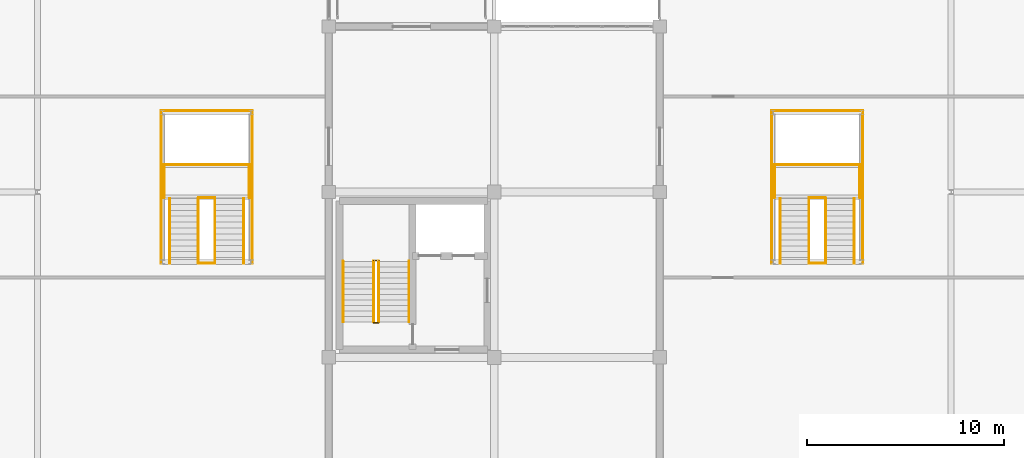
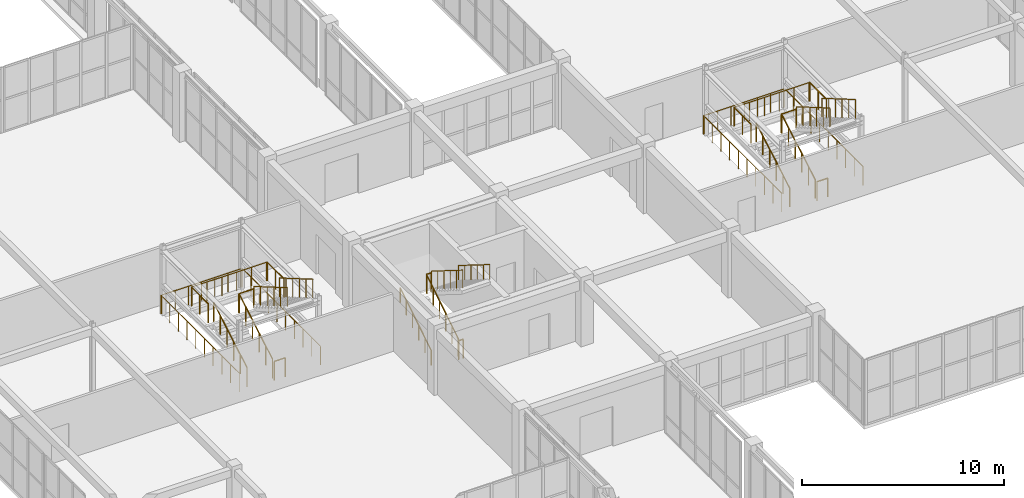
# One storey, part 133 of 140: 30 railings.
"""IFC4 building model written with IfcOpenShell, lengths in metres."""

from ifc_helpers import new_model, si_unit, direction, frame, origin, origin_2d, place, context, subcontext, project, spatial, circle, extrude, material, type_object, element, save


model = new_model("IFC4")

# Units and contexts
model_context = context("Model", 3, precision=1e-05, world=origin(), true_north=direction((0.0, 1.0)))
body_context = subcontext(model_context, "Body", "Model", "MODEL_VIEW")
ifc_project = project(units=[si_unit("LENGTHUNIT", "METRE"), si_unit("AREAUNIT", "SQUARE_METRE"), si_unit("VOLUMEUNIT", "CUBIC_METRE"), si_unit("PLANEANGLEUNIT", "RADIAN"), si_unit("MASSUNIT", "GRAM", prefix="KILO")], contexts=[model_context])

# Site, building, storey
site_placement = place(None, origin())
site = spatial("IfcSite", under=ifc_project, at=site_placement, CompositionType="ELEMENT")
building_placement = place(site_placement, origin())
building = spatial("IfcBuilding", under=site, at=building_placement, Name="Trelvath General Hospital", CompositionType="ELEMENT")
storey_placement = place(building_placement, frame((0.0, 0.0, 16.199951171875)))
storey = spatial("IfcBuildingStorey", under=building, at=storey_placement, Name="L04", CompositionType="ELEMENT", Elevation=16.199951171875)

# Railings
ifc_material_1 = material(Name="Architectural painted steel", Category="steel")
railing_type_1 = type_object("IfcRailingType", Name="Guardrail Terrace1150", PredefinedType="GUARDRAIL", material=ifc_material_1)
railing_1_placement = place(storey_placement, frame((77.8701171875, 52.159912109375, 0.0)))
element("IfcRailing", 1, at=railing_1_placement, inside=storey, type_object=railing_type_1, Name="Stair Well Edge Guard C6 L04 216", PredefinedType="GUARDRAIL", context=body_context, shape_type="SweptSolid", body=[
    extrude(circle(Radius=0.02392578125, at=origin_2d()), frame((0.0, 0.0, 1.1259765625), z_axis=(1.0, 0.0, 0.0), x_axis=(0.0, 1.0, 0.0)), (0.0, 0.0, 1.0), 0.259765625),
    extrude(circle(Radius=0.02099609375, at=origin_2d()), origin(), (0.0, 0.0, 1.0), 1.099853515625),
    extrude(circle(Radius=0.02099609375, at=origin_2d()), frame((0.259765625, 0.0, 0.0)), (0.0, 0.0, 1.0), 1.099853515625),
])
railing_2_placement = place(storey_placement, frame((78.1298828125, 55.280029296875, 2.275146484375)))
element("IfcRailing", 2, at=railing_2_placement, inside=storey, type_object=railing_type_1, Name="Stair Rail ST6 L04 F2 L 218", PredefinedType="GUARDRAIL", context=body_context, shape_type="SweptSolid", body=[
    extrude(circle(Radius=0.02392578125, at=origin_2d()), frame((0.0, 0.0, 1.076171875), z_axis=(0.0, -0.848028513186, 0.529950602248), x_axis=(1.0, 0.0, 0.0)), (0.0, 0.0, 1.0), 3.632080078125),
    extrude(circle(Radius=0.02099609375, at=origin_2d()), origin(), (0.0, 0.0, 1.0), 1.050048828125),
    extrude(circle(Radius=0.02099609375, at=origin_2d()), frame((0.0, -0.615966796875, 0.385009765625)), (0.0, 0.0, 1.0), 1.050048828125),
    extrude(circle(Radius=0.02099609375, at=origin_2d()), frame((0.0, -1.23193359375, 0.77001953125)), (0.0, 0.0, 1.0), 1.050048828125),
    extrude(circle(Radius=0.02099609375, at=origin_2d()), frame((0.0, -1.84814453125, 1.15478515625)), (0.0, 0.0, 1.0), 1.050048828125),
    extrude(circle(Radius=0.02099609375, at=origin_2d()), frame((0.0, -2.464111328125, 1.539794921875)), (0.0, 0.0, 1.0), 1.050048828125),
    extrude(circle(Radius=0.02099609375, at=origin_2d()), frame((0.0, -3.080078125, 1.9248046875)), (0.0, 0.0, 1.0), 1.050048828125),
])
railing_3_placement = place(storey_placement, frame((77.8701171875, 52.199951171875, 0.175048828125)))
element("IfcRailing", 3, at=railing_3_placement, inside=storey, type_object=railing_type_1, Name="Stair Rail ST6 L04 F1 R 219", PredefinedType="GUARDRAIL", context=body_context, shape_type="SweptSolid", body=[
    extrude(circle(Radius=0.02392578125, at=origin_2d()), frame((0.0, 0.0, 1.076171875), z_axis=(0.0, 0.847998304005, 0.529998940003), x_axis=(-1.0, 0.0, 0.0)), (0.0, 0.0, 1.0), 3.632080078125),
    extrude(circle(Radius=0.02099609375, at=origin_2d()), origin(), (0.0, 0.0, 1.0), 1.050048828125),
    extrude(circle(Radius=0.02099609375, at=origin_2d()), frame((0.0, 0.615966796875, 0.385009765625)), (0.0, 0.0, 1.0), 1.050048828125),
    extrude(circle(Radius=0.02099609375, at=origin_2d()), frame((0.0, 1.23193359375, 0.77001953125)), (0.0, 0.0, 1.0), 1.050048828125),
    extrude(circle(Radius=0.02099609375, at=origin_2d()), frame((0.0, 1.84814453125, 1.155029296875)), (0.0, 0.0, 1.0), 1.050048828125),
    extrude(circle(Radius=0.02099609375, at=origin_2d()), frame((0.0, 2.464111328125, 1.5400390625)), (0.0, 0.0, 1.0), 1.050048828125),
    extrude(circle(Radius=0.02099609375, at=origin_2d()), frame((0.0, 3.080078125, 1.925048828125)), (0.0, 0.0, 1.0), 1.050048828125),
])
railing_4_placement = place(storey_placement, frame((77.8701171875, 55.320068359375, 2.10009765625)))
element("IfcRailing", 4, at=railing_4_placement, inside=storey, type_object=railing_type_1, Name="Half-Landing Well Guard ST6 L04 221", PredefinedType="GUARDRAIL", context=body_context, shape_type="SweptSolid", body=[
    extrude(circle(Radius=0.02392578125, at=origin_2d()), frame((0.0, 0.0, 1.1259765625), z_axis=(1.0, 0.0, 0.0), x_axis=(0.0, 1.0, 0.0)), (0.0, 0.0, 1.0), 0.259765625),
    extrude(circle(Radius=0.02099609375, at=origin_2d()), origin(), (0.0, 0.0, 1.0), 1.099853515625),
    extrude(circle(Radius=0.02099609375, at=origin_2d()), frame((0.259765625, 0.0, 0.0)), (0.0, 0.0, 1.0), 1.099853515625),
])
for number, where, name in (
    (5, (67.52001953125, 55.169921875, 0.175048828125), "Cube Stair Flight Guard ST9 L04 323"),
    (6, (68.97998046875, 55.169921875, 0.175048828125), "Cube Stair Flight Guard ST9 L04 324"),
):
    element("IfcRailing", number, at=place(storey_placement, frame(where)), inside=storey, type_object=railing_type_1, Name=name, PredefinedType="GUARDRAIL", context=body_context, shape_type="SweptSolid", body=[
        extrude(circle(Radius=0.02392578125, at=origin_2d()), frame((0.0, 0.0, 1.1259765625), z_axis=(0.0, 0.863776583165, 0.503874998761), x_axis=(-1.0, 0.0, 0.0)), (0.0, 0.0, 1.0), 3.820556640625),
        extrude(circle(Radius=0.02099609375, at=origin_2d()), origin(), (0.0, 0.0, 1.0), 1.099853515625),
        extrude(circle(Radius=0.02099609375, at=origin_2d()), frame((0.0, 0.659912109375, 0.385009765625)), (0.0, 0.0, 1.0), 1.099853515625),
        extrude(circle(Radius=0.02099609375, at=origin_2d()), frame((0.0, 1.320068359375, 0.77001953125)), (0.0, 0.0, 1.0), 1.099853515625),
        extrude(circle(Radius=0.02099609375, at=origin_2d()), frame((0.0, 1.97998046875, 1.155029296875)), (0.0, 0.0, 1.0), 1.099853515625),
        extrude(circle(Radius=0.02099609375, at=origin_2d()), frame((0.0, 2.64013671875, 1.5400390625)), (0.0, 0.0, 1.0), 1.099853515625),
        extrude(circle(Radius=0.02099609375, at=origin_2d()), frame((0.0, 3.300048828125, 1.925048828125)), (0.0, 0.0, 1.0), 1.099853515625),
    ])
for number, where, name in (
    (7, (69.820068359375, 58.469970703125, 2.275146484375), "Cube Stair Flight Guard ST9 L04 325"),
    (8, (71.280029296875, 58.469970703125, 2.275146484375), "Cube Stair Flight Guard ST9 L04 326"),
):
    element("IfcRailing", number, at=place(storey_placement, frame(where)), inside=storey, type_object=railing_type_1, Name=name, PredefinedType="GUARDRAIL", context=body_context, shape_type="SweptSolid", body=[
        extrude(circle(Radius=0.02392578125, at=origin_2d()), frame((0.0, 0.0, 1.1259765625), z_axis=(0.0, -0.863804395585, 0.503827317807), x_axis=(1.0, 0.0, 0.0)), (0.0, 0.0, 1.0), 3.8203125),
        extrude(circle(Radius=0.02099609375, at=origin_2d()), origin(), (0.0, 0.0, 1.0), 1.099853515625),
        extrude(circle(Radius=0.02099609375, at=origin_2d()), frame((0.0, -0.659912109375, 0.385009765625)), (0.0, 0.0, 1.0), 1.099853515625),
        extrude(circle(Radius=0.02099609375, at=origin_2d()), frame((0.0, -1.320068359375, 0.77001953125)), (0.0, 0.0, 1.0), 1.099853515625),
        extrude(circle(Radius=0.02099609375, at=origin_2d()), frame((0.0, -1.97998046875, 1.15478515625)), (0.0, 0.0, 1.0), 1.099853515625),
        extrude(circle(Radius=0.02099609375, at=origin_2d()), frame((0.0, -2.64013671875, 1.539794921875)), (0.0, 0.0, 1.0), 1.099853515625),
        extrude(circle(Radius=0.02099609375, at=origin_2d()), frame((0.0, -3.300048828125, 1.9248046875)), (0.0, 0.0, 1.0), 1.099853515625),
    ])
railing_5_placement = place(storey_placement, frame((67.239990234375, 58.510009765625, 2.10009765625)))
element("IfcRailing", 9, at=railing_5_placement, inside=storey, type_object=railing_type_1, Name="Cube Half-Landing Guard W ST9 L04 327", PredefinedType="GUARDRAIL", context=body_context, shape_type="SweptSolid", body=[
    extrude(circle(Radius=0.02392578125, at=origin_2d()), frame((0.0, 0.0, 1.1259765625), z_axis=(0.0, 1.0, 0.0), x_axis=(-1.0, 0.0, 0.0)), (0.0, 0.0, 1.0), 1.669921875),
    extrude(circle(Radius=0.02099609375, at=origin_2d()), origin(), (0.0, 0.0, 1.0), 1.099853515625),
    extrude(circle(Radius=0.02099609375, at=origin_2d()), frame((0.0, 0.8349609375, 0.0)), (0.0, 0.0, 1.0), 1.099853515625),
    extrude(circle(Radius=0.02099609375, at=origin_2d()), frame((0.0, 1.669921875, 0.0)), (0.0, 0.0, 1.0), 1.099853515625),
])
railing_6_placement = place(storey_placement, frame((67.280029296875, 60.179931640625, 2.10009765625)))
element("IfcRailing", 10, at=railing_6_placement, inside=storey, type_object=railing_type_1, Name="Cube Half-Landing Guard N ST9 L04 328", PredefinedType="GUARDRAIL", context=body_context, shape_type="SweptSolid", body=[
    extrude(circle(Radius=0.02392578125, at=origin_2d()), frame((0.0, 0.0, 1.1259765625), z_axis=(1.0, 0.0, 0.0), x_axis=(0.0, 1.0, 0.0)), (0.0, 0.0, 1.0), 4.239990234375),
    extrude(circle(Radius=0.02099609375, at=origin_2d()), origin(), (0.0, 0.0, 1.0), 1.099853515625),
    extrude(circle(Radius=0.02099609375, at=origin_2d()), frame((0.847900390625, 0.0, 0.0)), (0.0, 0.0, 1.0), 1.099853515625),
    extrude(circle(Radius=0.02099609375, at=origin_2d()), frame((1.696044921875, 0.0, 0.0)), (0.0, 0.0, 1.0), 1.099853515625),
    extrude(circle(Radius=0.02099609375, at=origin_2d()), frame((2.5439453125, 0.0, 0.0)), (0.0, 0.0, 1.0), 1.099853515625),
    extrude(circle(Radius=0.02099609375, at=origin_2d()), frame((3.39208984375, 0.0, 0.0)), (0.0, 0.0, 1.0), 1.099853515625),
    extrude(circle(Radius=0.02099609375, at=origin_2d()), frame((4.239990234375, 0.0, 0.0)), (0.0, 0.0, 1.0), 1.099853515625),
])
railing_7_placement = place(storey_placement, frame((71.56005859375, 58.510009765625, 2.10009765625)))
element("IfcRailing", 11, at=railing_7_placement, inside=storey, type_object=railing_type_1, Name="Cube Half-Landing Guard E ST9 L04 329", PredefinedType="GUARDRAIL", context=body_context, shape_type="SweptSolid", body=[
    extrude(circle(Radius=0.02392578125, at=origin_2d()), frame((0.0, 0.0, 1.1259765625), z_axis=(0.0, 1.0, 0.0), x_axis=(-1.0, 0.0, 0.0)), (0.0, 0.0, 1.0), 1.669921875),
    extrude(circle(Radius=0.02099609375, at=origin_2d()), origin(), (0.0, 0.0, 1.0), 1.099853515625),
    extrude(circle(Radius=0.02099609375, at=origin_2d()), frame((0.0, 0.8349609375, 0.0)), (0.0, 0.0, 1.0), 1.099853515625),
    extrude(circle(Radius=0.02099609375, at=origin_2d()), frame((0.0, 1.669921875, 0.0)), (0.0, 0.0, 1.0), 1.099853515625),
])
railing_8_placement = place(storey_placement, frame((68.97998046875, 58.510009765625, 2.10009765625)))
element("IfcRailing", 12, at=railing_8_placement, inside=storey, type_object=railing_type_1, Name="Cube Half-Landing Slot Guard ST9 L04 330", PredefinedType="GUARDRAIL", context=body_context, shape_type="SweptSolid", body=[
    extrude(circle(Radius=0.02392578125, at=origin_2d()), frame((0.0, 0.0, 1.1259765625), z_axis=(1.0, 0.0, 0.0), x_axis=(0.0, 1.0, 0.0)), (0.0, 0.0, 1.0), 0.840087890625),
    extrude(circle(Radius=0.02099609375, at=origin_2d()), origin(), (0.0, 0.0, 1.0), 1.099853515625),
    extrude(circle(Radius=0.02099609375, at=origin_2d()), frame((0.840087890625, 0.0, 0.0)), (0.0, 0.0, 1.0), 1.099853515625),
])
for number, where, name in (
    (13, (98.52001953125, 55.169921875, 0.175048828125), "Cube Stair Flight Guard ST10 L04 331"),
    (14, (99.97998046875, 55.169921875, 0.175048828125), "Cube Stair Flight Guard ST10 L04 332"),
):
    element("IfcRailing", number, at=place(storey_placement, frame(where)), inside=storey, type_object=railing_type_1, Name=name, PredefinedType="GUARDRAIL", context=body_context, shape_type="SweptSolid", body=[
        extrude(circle(Radius=0.02392578125, at=origin_2d()), frame((0.0, 0.0, 1.1259765625), z_axis=(0.0, 0.863776583165, 0.503874998761), x_axis=(-1.0, 0.0, 0.0)), (0.0, 0.0, 1.0), 3.820556640625),
        extrude(circle(Radius=0.02099609375, at=origin_2d()), origin(), (0.0, 0.0, 1.0), 1.099853515625),
        extrude(circle(Radius=0.02099609375, at=origin_2d()), frame((0.0, 0.659912109375, 0.385009765625)), (0.0, 0.0, 1.0), 1.099853515625),
        extrude(circle(Radius=0.02099609375, at=origin_2d()), frame((0.0, 1.320068359375, 0.77001953125)), (0.0, 0.0, 1.0), 1.099853515625),
        extrude(circle(Radius=0.02099609375, at=origin_2d()), frame((0.0, 1.97998046875, 1.155029296875)), (0.0, 0.0, 1.0), 1.099853515625),
        extrude(circle(Radius=0.02099609375, at=origin_2d()), frame((0.0, 2.64013671875, 1.5400390625)), (0.0, 0.0, 1.0), 1.099853515625),
        extrude(circle(Radius=0.02099609375, at=origin_2d()), frame((0.0, 3.300048828125, 1.925048828125)), (0.0, 0.0, 1.0), 1.099853515625),
    ])
for number, where, name in (
    (15, (100.820068359375, 58.469970703125, 2.275146484375), "Cube Stair Flight Guard ST10 L04 333"),
    (16, (102.280029296875, 58.469970703125, 2.275146484375), "Cube Stair Flight Guard ST10 L04 334"),
):
    element("IfcRailing", number, at=place(storey_placement, frame(where)), inside=storey, type_object=railing_type_1, Name=name, PredefinedType="GUARDRAIL", context=body_context, shape_type="SweptSolid", body=[
        extrude(circle(Radius=0.02392578125, at=origin_2d()), frame((0.0, 0.0, 1.1259765625), z_axis=(0.0, -0.863804395585, 0.503827317807), x_axis=(1.0, 0.0, 0.0)), (0.0, 0.0, 1.0), 3.8203125),
        extrude(circle(Radius=0.02099609375, at=origin_2d()), origin(), (0.0, 0.0, 1.0), 1.099853515625),
        extrude(circle(Radius=0.02099609375, at=origin_2d()), frame((0.0, -0.659912109375, 0.385009765625)), (0.0, 0.0, 1.0), 1.099853515625),
        extrude(circle(Radius=0.02099609375, at=origin_2d()), frame((0.0, -1.320068359375, 0.77001953125)), (0.0, 0.0, 1.0), 1.099853515625),
        extrude(circle(Radius=0.02099609375, at=origin_2d()), frame((0.0, -1.97998046875, 1.15478515625)), (0.0, 0.0, 1.0), 1.099853515625),
        extrude(circle(Radius=0.02099609375, at=origin_2d()), frame((0.0, -2.64013671875, 1.539794921875)), (0.0, 0.0, 1.0), 1.099853515625),
        extrude(circle(Radius=0.02099609375, at=origin_2d()), frame((0.0, -3.300048828125, 1.9248046875)), (0.0, 0.0, 1.0), 1.099853515625),
    ])
railing_9_placement = place(storey_placement, frame((98.239990234375, 58.510009765625, 2.10009765625)))
element("IfcRailing", 17, at=railing_9_placement, inside=storey, type_object=railing_type_1, Name="Cube Half-Landing Guard W ST10 L04 335", PredefinedType="GUARDRAIL", context=body_context, shape_type="SweptSolid", body=[
    extrude(circle(Radius=0.02392578125, at=origin_2d()), frame((0.0, 0.0, 1.1259765625), z_axis=(0.0, 1.0, 0.0), x_axis=(-1.0, 0.0, 0.0)), (0.0, 0.0, 1.0), 1.669921875),
    extrude(circle(Radius=0.02099609375, at=origin_2d()), origin(), (0.0, 0.0, 1.0), 1.099853515625),
    extrude(circle(Radius=0.02099609375, at=origin_2d()), frame((0.0, 0.8349609375, 0.0)), (0.0, 0.0, 1.0), 1.099853515625),
    extrude(circle(Radius=0.02099609375, at=origin_2d()), frame((0.0, 1.669921875, 0.0)), (0.0, 0.0, 1.0), 1.099853515625),
])
railing_10_placement = place(storey_placement, frame((98.280029296875, 60.179931640625, 2.10009765625)))
element("IfcRailing", 18, at=railing_10_placement, inside=storey, type_object=railing_type_1, Name="Cube Half-Landing Guard N ST10 L04 336", PredefinedType="GUARDRAIL", context=body_context, shape_type="SweptSolid", body=[
    extrude(circle(Radius=0.02392578125, at=origin_2d()), frame((0.0, 0.0, 1.1259765625), z_axis=(1.0, 0.0, 0.0), x_axis=(0.0, 1.0, 0.0)), (0.0, 0.0, 1.0), 4.239990234375),
    extrude(circle(Radius=0.02099609375, at=origin_2d()), origin(), (0.0, 0.0, 1.0), 1.099853515625),
    extrude(circle(Radius=0.02099609375, at=origin_2d()), frame((0.847900390625, 0.0, 0.0)), (0.0, 0.0, 1.0), 1.099853515625),
    extrude(circle(Radius=0.02099609375, at=origin_2d()), frame((1.696044921875, 0.0, 0.0)), (0.0, 0.0, 1.0), 1.099853515625),
    extrude(circle(Radius=0.02099609375, at=origin_2d()), frame((2.5439453125, 0.0, 0.0)), (0.0, 0.0, 1.0), 1.099853515625),
    extrude(circle(Radius=0.02099609375, at=origin_2d()), frame((3.39208984375, 0.0, 0.0)), (0.0, 0.0, 1.0), 1.099853515625),
    extrude(circle(Radius=0.02099609375, at=origin_2d()), frame((4.239990234375, 0.0, 0.0)), (0.0, 0.0, 1.0), 1.099853515625),
])
railing_11_placement = place(storey_placement, frame((102.56005859375, 58.510009765625, 2.10009765625)))
element("IfcRailing", 19, at=railing_11_placement, inside=storey, type_object=railing_type_1, Name="Cube Half-Landing Guard E ST10 L04 337", PredefinedType="GUARDRAIL", context=body_context, shape_type="SweptSolid", body=[
    extrude(circle(Radius=0.02392578125, at=origin_2d()), frame((0.0, 0.0, 1.1259765625), z_axis=(0.0, 1.0, 0.0), x_axis=(-1.0, 0.0, 0.0)), (0.0, 0.0, 1.0), 1.669921875),
    extrude(circle(Radius=0.02099609375, at=origin_2d()), origin(), (0.0, 0.0, 1.0), 1.099853515625),
    extrude(circle(Radius=0.02099609375, at=origin_2d()), frame((0.0, 0.8349609375, 0.0)), (0.0, 0.0, 1.0), 1.099853515625),
    extrude(circle(Radius=0.02099609375, at=origin_2d()), frame((0.0, 1.669921875, 0.0)), (0.0, 0.0, 1.0), 1.099853515625),
])
railing_12_placement = place(storey_placement, frame((99.97998046875, 58.510009765625, 2.10009765625)))
element("IfcRailing", 20, at=railing_12_placement, inside=storey, type_object=railing_type_1, Name="Cube Half-Landing Slot Guard ST10 L04 338", PredefinedType="GUARDRAIL", context=body_context, shape_type="SweptSolid", body=[
    extrude(circle(Radius=0.02392578125, at=origin_2d()), frame((0.0, 0.0, 1.1259765625), z_axis=(1.0, 0.0, 0.0), x_axis=(0.0, 1.0, 0.0)), (0.0, 0.0, 1.0), 0.840087890625),
    extrude(circle(Radius=0.02099609375, at=origin_2d()), origin(), (0.0, 0.0, 1.0), 1.099853515625),
    extrude(circle(Radius=0.02099609375, at=origin_2d()), frame((0.840087890625, 0.0, 0.0)), (0.0, 0.0, 1.0), 1.099853515625),
])
railing_13_placement = place(storey_placement, frame((67.080078125, 55.179931640625, 0.0)))
element("IfcRailing", 21, at=railing_13_placement, inside=storey, type_object=railing_type_1, Name="Atrium Guard W CUBE-W-T1 L04 379", PredefinedType="GUARDRAIL", context=body_context, shape_type="SweptSolid", body=[
    extrude(circle(Radius=0.02392578125, at=origin_2d()), frame((0.0, 0.0, 1.1259765625), z_axis=(0.0, 1.0, 0.0), x_axis=(-1.0, 0.0, 0.0)), (0.0, 0.0, 1.0), 7.739990234375),
    extrude(circle(Radius=0.02099609375, at=origin_2d()), origin(), (0.0, 0.0, 1.0), 1.099853515625),
    extrude(circle(Radius=0.02099609375, at=origin_2d()), frame((0.0, 0.860107421875, 0.0)), (0.0, 0.0, 1.0), 1.099853515625),
    extrude(circle(Radius=0.02099609375, at=origin_2d()), frame((0.0, 1.719970703125, 0.0)), (0.0, 0.0, 1.0), 1.099853515625),
    extrude(circle(Radius=0.02099609375, at=origin_2d()), frame((0.0, 2.580078125, 0.0)), (0.0, 0.0, 1.0), 1.099853515625),
    extrude(circle(Radius=0.02099609375, at=origin_2d()), frame((0.0, 3.43994140625, 0.0)), (0.0, 0.0, 1.0), 1.099853515625),
    extrude(circle(Radius=0.02099609375, at=origin_2d()), frame((0.0, 4.300048828125, 0.0)), (0.0, 0.0, 1.0), 1.099853515625),
    extrude(circle(Radius=0.02099609375, at=origin_2d()), frame((0.0, 5.159912109375, 0.0)), (0.0, 0.0, 1.0), 1.099853515625),
    extrude(circle(Radius=0.02099609375, at=origin_2d()), frame((0.0, 6.02001953125, 0.0)), (0.0, 0.0, 1.0), 1.099853515625),
    extrude(circle(Radius=0.02099609375, at=origin_2d()), frame((0.0, 6.8798828125, 0.0)), (0.0, 0.0, 1.0), 1.099853515625),
    extrude(circle(Radius=0.02099609375, at=origin_2d()), frame((0.0, 7.739990234375, 0.0)), (0.0, 0.0, 1.0), 1.099853515625),
])
railing_14_placement = place(storey_placement, frame((67.139892578125, 62.919921875, 0.0)))
element("IfcRailing", 22, at=railing_14_placement, inside=storey, type_object=railing_type_1, Name="Atrium Guard N CUBE-W-T1 L04 380", PredefinedType="GUARDRAIL", context=body_context, shape_type="SweptSolid", body=[
    extrude(circle(Radius=0.02392578125, at=origin_2d()), frame((0.0, 0.0, 1.1259765625), z_axis=(1.0, 0.0, 0.0), x_axis=(0.0, 1.0, 0.0)), (0.0, 0.0, 1.0), 4.52001953125),
    extrude(circle(Radius=0.02099609375, at=origin_2d()), origin(), (0.0, 0.0, 1.0), 1.099853515625),
    extrude(circle(Radius=0.02099609375, at=origin_2d()), frame((0.75341796875, 0.0, 0.0)), (0.0, 0.0, 1.0), 1.099853515625),
    extrude(circle(Radius=0.02099609375, at=origin_2d()), frame((1.506591796875, 0.0, 0.0)), (0.0, 0.0, 1.0), 1.099853515625),
    extrude(circle(Radius=0.02099609375, at=origin_2d()), frame((2.260009765625, 0.0, 0.0)), (0.0, 0.0, 1.0), 1.099853515625),
    extrude(circle(Radius=0.02099609375, at=origin_2d()), frame((3.013427734375, 0.0, 0.0)), (0.0, 0.0, 1.0), 1.099853515625),
    extrude(circle(Radius=0.02099609375, at=origin_2d()), frame((3.7666015625, 0.0, 0.0)), (0.0, 0.0, 1.0), 1.099853515625),
    extrude(circle(Radius=0.02099609375, at=origin_2d()), frame((4.52001953125, 0.0, 0.0)), (0.0, 0.0, 1.0), 1.099853515625),
])
railing_15_placement = place(storey_placement, frame((71.719970703125, 55.179931640625, 0.0)))
element("IfcRailing", 23, at=railing_15_placement, inside=storey, type_object=railing_type_1, Name="Atrium Guard E CUBE-W-T1 L04 381", PredefinedType="GUARDRAIL", context=body_context, shape_type="SweptSolid", body=[
    extrude(circle(Radius=0.02392578125, at=origin_2d()), frame((0.0, 0.0, 1.1259765625), z_axis=(0.0, 1.0, 0.0), x_axis=(-1.0, 0.0, 0.0)), (0.0, 0.0, 1.0), 7.739990234375),
    extrude(circle(Radius=0.02099609375, at=origin_2d()), origin(), (0.0, 0.0, 1.0), 1.099853515625),
    extrude(circle(Radius=0.02099609375, at=origin_2d()), frame((0.0, 0.860107421875, 0.0)), (0.0, 0.0, 1.0), 1.099853515625),
    extrude(circle(Radius=0.02099609375, at=origin_2d()), frame((0.0, 1.719970703125, 0.0)), (0.0, 0.0, 1.0), 1.099853515625),
    extrude(circle(Radius=0.02099609375, at=origin_2d()), frame((0.0, 2.580078125, 0.0)), (0.0, 0.0, 1.0), 1.099853515625),
    extrude(circle(Radius=0.02099609375, at=origin_2d()), frame((0.0, 3.43994140625, 0.0)), (0.0, 0.0, 1.0), 1.099853515625),
    extrude(circle(Radius=0.02099609375, at=origin_2d()), frame((0.0, 4.300048828125, 0.0)), (0.0, 0.0, 1.0), 1.099853515625),
    extrude(circle(Radius=0.02099609375, at=origin_2d()), frame((0.0, 5.159912109375, 0.0)), (0.0, 0.0, 1.0), 1.099853515625),
    extrude(circle(Radius=0.02099609375, at=origin_2d()), frame((0.0, 6.02001953125, 0.0)), (0.0, 0.0, 1.0), 1.099853515625),
    extrude(circle(Radius=0.02099609375, at=origin_2d()), frame((0.0, 6.8798828125, 0.0)), (0.0, 0.0, 1.0), 1.099853515625),
    extrude(circle(Radius=0.02099609375, at=origin_2d()), frame((0.0, 7.739990234375, 0.0)), (0.0, 0.0, 1.0), 1.099853515625),
])
railing_16_placement = place(storey_placement, frame((69.090087890625, 55.179931640625, 0.0)))
element("IfcRailing", 24, at=railing_16_placement, inside=storey, type_object=railing_type_1, Name="Atrium Mid-Slot Guard S CUBE-W-T1 L04 382", PredefinedType="GUARDRAIL", context=body_context, shape_type="SweptSolid", body=[
    extrude(circle(Radius=0.02392578125, at=origin_2d()), frame((0.0, 0.0, 1.1259765625), z_axis=(1.0, 0.0, 0.0), x_axis=(0.0, 1.0, 0.0)), (0.0, 0.0, 1.0), 0.619873046875),
    extrude(circle(Radius=0.02099609375, at=origin_2d()), origin(), (0.0, 0.0, 1.0), 1.099853515625),
    extrude(circle(Radius=0.02099609375, at=origin_2d()), frame((0.619873046875, 0.0, 0.0)), (0.0, 0.0, 1.0), 1.099853515625),
])
railing_17_placement = place(storey_placement, frame((98.080078125, 55.179931640625, 0.0)))
element("IfcRailing", 25, at=railing_17_placement, inside=storey, type_object=railing_type_1, Name="Atrium Guard W CUBE-E-T1 L04 383", PredefinedType="GUARDRAIL", context=body_context, shape_type="SweptSolid", body=[
    extrude(circle(Radius=0.02392578125, at=origin_2d()), frame((0.0, 0.0, 1.1259765625), z_axis=(0.0, 1.0, 0.0), x_axis=(-1.0, 0.0, 0.0)), (0.0, 0.0, 1.0), 7.739990234375),
    extrude(circle(Radius=0.02099609375, at=origin_2d()), origin(), (0.0, 0.0, 1.0), 1.099853515625),
    extrude(circle(Radius=0.02099609375, at=origin_2d()), frame((0.0, 0.860107421875, 0.0)), (0.0, 0.0, 1.0), 1.099853515625),
    extrude(circle(Radius=0.02099609375, at=origin_2d()), frame((0.0, 1.719970703125, 0.0)), (0.0, 0.0, 1.0), 1.099853515625),
    extrude(circle(Radius=0.02099609375, at=origin_2d()), frame((0.0, 2.580078125, 0.0)), (0.0, 0.0, 1.0), 1.099853515625),
    extrude(circle(Radius=0.02099609375, at=origin_2d()), frame((0.0, 3.43994140625, 0.0)), (0.0, 0.0, 1.0), 1.099853515625),
    extrude(circle(Radius=0.02099609375, at=origin_2d()), frame((0.0, 4.300048828125, 0.0)), (0.0, 0.0, 1.0), 1.099853515625),
    extrude(circle(Radius=0.02099609375, at=origin_2d()), frame((0.0, 5.159912109375, 0.0)), (0.0, 0.0, 1.0), 1.099853515625),
    extrude(circle(Radius=0.02099609375, at=origin_2d()), frame((0.0, 6.02001953125, 0.0)), (0.0, 0.0, 1.0), 1.099853515625),
    extrude(circle(Radius=0.02099609375, at=origin_2d()), frame((0.0, 6.8798828125, 0.0)), (0.0, 0.0, 1.0), 1.099853515625),
    extrude(circle(Radius=0.02099609375, at=origin_2d()), frame((0.0, 7.739990234375, 0.0)), (0.0, 0.0, 1.0), 1.099853515625),
])
railing_18_placement = place(storey_placement, frame((98.139892578125, 62.919921875, 0.0)))
element("IfcRailing", 26, at=railing_18_placement, inside=storey, type_object=railing_type_1, Name="Atrium Guard N CUBE-E-T1 L04 384", PredefinedType="GUARDRAIL", context=body_context, shape_type="SweptSolid", body=[
    extrude(circle(Radius=0.02392578125, at=origin_2d()), frame((0.0, 0.0, 1.1259765625), z_axis=(1.0, 0.0, 0.0), x_axis=(0.0, 1.0, 0.0)), (0.0, 0.0, 1.0), 4.52001953125),
    extrude(circle(Radius=0.02099609375, at=origin_2d()), origin(), (0.0, 0.0, 1.0), 1.099853515625),
    extrude(circle(Radius=0.02099609375, at=origin_2d()), frame((0.75341796875, 0.0, 0.0)), (0.0, 0.0, 1.0), 1.099853515625),
    extrude(circle(Radius=0.02099609375, at=origin_2d()), frame((1.506591796875, 0.0, 0.0)), (0.0, 0.0, 1.0), 1.099853515625),
    extrude(circle(Radius=0.02099609375, at=origin_2d()), frame((2.260009765625, 0.0, 0.0)), (0.0, 0.0, 1.0), 1.099853515625),
    extrude(circle(Radius=0.02099609375, at=origin_2d()), frame((3.013427734375, 0.0, 0.0)), (0.0, 0.0, 1.0), 1.099853515625),
    extrude(circle(Radius=0.02099609375, at=origin_2d()), frame((3.7666015625, 0.0, 0.0)), (0.0, 0.0, 1.0), 1.099853515625),
    extrude(circle(Radius=0.02099609375, at=origin_2d()), frame((4.52001953125, 0.0, 0.0)), (0.0, 0.0, 1.0), 1.099853515625),
])
railing_19_placement = place(storey_placement, frame((102.719970703125, 55.179931640625, 0.0)))
element("IfcRailing", 27, at=railing_19_placement, inside=storey, type_object=railing_type_1, Name="Atrium Guard E CUBE-E-T1 L04 385", PredefinedType="GUARDRAIL", context=body_context, shape_type="SweptSolid", body=[
    extrude(circle(Radius=0.02392578125, at=origin_2d()), frame((0.0, 0.0, 1.1259765625), z_axis=(0.0, 1.0, 0.0), x_axis=(-1.0, 0.0, 0.0)), (0.0, 0.0, 1.0), 7.739990234375),
    extrude(circle(Radius=0.02099609375, at=origin_2d()), origin(), (0.0, 0.0, 1.0), 1.099853515625),
    extrude(circle(Radius=0.02099609375, at=origin_2d()), frame((0.0, 0.860107421875, 0.0)), (0.0, 0.0, 1.0), 1.099853515625),
    extrude(circle(Radius=0.02099609375, at=origin_2d()), frame((0.0, 1.719970703125, 0.0)), (0.0, 0.0, 1.0), 1.099853515625),
    extrude(circle(Radius=0.02099609375, at=origin_2d()), frame((0.0, 2.580078125, 0.0)), (0.0, 0.0, 1.0), 1.099853515625),
    extrude(circle(Radius=0.02099609375, at=origin_2d()), frame((0.0, 3.43994140625, 0.0)), (0.0, 0.0, 1.0), 1.099853515625),
    extrude(circle(Radius=0.02099609375, at=origin_2d()), frame((0.0, 4.300048828125, 0.0)), (0.0, 0.0, 1.0), 1.099853515625),
    extrude(circle(Radius=0.02099609375, at=origin_2d()), frame((0.0, 5.159912109375, 0.0)), (0.0, 0.0, 1.0), 1.099853515625),
    extrude(circle(Radius=0.02099609375, at=origin_2d()), frame((0.0, 6.02001953125, 0.0)), (0.0, 0.0, 1.0), 1.099853515625),
    extrude(circle(Radius=0.02099609375, at=origin_2d()), frame((0.0, 6.8798828125, 0.0)), (0.0, 0.0, 1.0), 1.099853515625),
    extrude(circle(Radius=0.02099609375, at=origin_2d()), frame((0.0, 7.739990234375, 0.0)), (0.0, 0.0, 1.0), 1.099853515625),
])
railing_20_placement = place(storey_placement, frame((100.090087890625, 55.179931640625, 0.0)))
element("IfcRailing", 28, at=railing_20_placement, inside=storey, type_object=railing_type_1, Name="Atrium Mid-Slot Guard S CUBE-E-T1 L04 386", PredefinedType="GUARDRAIL", context=body_context, shape_type="SweptSolid", body=[
    extrude(circle(Radius=0.02392578125, at=origin_2d()), frame((0.0, 0.0, 1.1259765625), z_axis=(1.0, 0.0, 0.0), x_axis=(0.0, 1.0, 0.0)), (0.0, 0.0, 1.0), 0.619873046875),
    extrude(circle(Radius=0.02099609375, at=origin_2d()), origin(), (0.0, 0.0, 1.0), 1.099853515625),
    extrude(circle(Radius=0.02099609375, at=origin_2d()), frame((0.619873046875, 0.0, 0.0)), (0.0, 0.0, 1.0), 1.099853515625),
])
ifc_material_2 = material(Name="Brushed stainless steel", Category="steel")
railing_type_2 = type_object("IfcRailingType", Name="Handrail Stair900", PredefinedType="HANDRAIL", material=ifc_material_2)
railing_21_placement = place(storey_placement, frame((76.330078125, 52.199951171875, 0.175048828125)))
element("IfcRailing", 29, at=railing_21_placement, inside=storey, type_object=railing_type_2, Name="Stair Rail ST6 L04 F1 L 217", PredefinedType="HANDRAIL", context=body_context, shape_type="SweptSolid", body=[
    extrude(circle(Radius=0.02392578125, at=origin_2d()), frame((0.0, 0.0, 0.8759765625), z_axis=(0.0, 0.847998304005, 0.529998940003), x_axis=(-1.0, 0.0, 0.0)), (0.0, 0.0, 1.0), 3.632080078125),
    extrude(circle(Radius=0.02099609375, at=origin_2d()), origin(), (0.0, 0.0, 1.0), 0.849853515625),
    extrude(circle(Radius=0.02099609375, at=origin_2d()), frame((0.0, 0.615966796875, 0.385009765625)), (0.0, 0.0, 1.0), 0.849853515625),
    extrude(circle(Radius=0.02099609375, at=origin_2d()), frame((0.0, 1.23193359375, 0.77001953125)), (0.0, 0.0, 1.0), 0.849853515625),
    extrude(circle(Radius=0.02099609375, at=origin_2d()), frame((0.0, 1.84814453125, 1.155029296875)), (0.0, 0.0, 1.0), 0.849853515625),
    extrude(circle(Radius=0.02099609375, at=origin_2d()), frame((0.0, 2.464111328125, 1.5400390625)), (0.0, 0.0, 1.0), 0.849853515625),
    extrude(circle(Radius=0.02099609375, at=origin_2d()), frame((0.0, 3.080078125, 1.925048828125)), (0.0, 0.0, 1.0), 0.849853515625),
])
railing_22_placement = place(storey_placement, frame((79.669921875, 55.280029296875, 2.275146484375)))
element("IfcRailing", 30, at=railing_22_placement, inside=storey, type_object=railing_type_2, Name="Stair Rail ST6 L04 F2 R 220", PredefinedType="HANDRAIL", context=body_context, shape_type="SweptSolid", body=[
    extrude(circle(Radius=0.02392578125, at=origin_2d()), frame((0.0, 0.0, 0.8759765625), z_axis=(0.0, -0.848028513186, 0.529950602248), x_axis=(1.0, 0.0, 0.0)), (0.0, 0.0, 1.0), 3.632080078125),
    extrude(circle(Radius=0.02099609375, at=origin_2d()), origin(), (0.0, 0.0, 1.0), 0.849853515625),
    extrude(circle(Radius=0.02099609375, at=origin_2d()), frame((0.0, -0.615966796875, 0.385009765625)), (0.0, 0.0, 1.0), 0.849853515625),
    extrude(circle(Radius=0.02099609375, at=origin_2d()), frame((0.0, -1.23193359375, 0.77001953125)), (0.0, 0.0, 1.0), 0.849853515625),
    extrude(circle(Radius=0.02099609375, at=origin_2d()), frame((0.0, -1.84814453125, 1.15478515625)), (0.0, 0.0, 1.0), 0.849853515625),
    extrude(circle(Radius=0.02099609375, at=origin_2d()), frame((0.0, -2.464111328125, 1.539794921875)), (0.0, 0.0, 1.0), 0.849853515625),
    extrude(circle(Radius=0.02099609375, at=origin_2d()), frame((0.0, -3.080078125, 1.9248046875)), (0.0, 0.0, 1.0), 0.849853515625),
])

save(model, "model.ifc")
